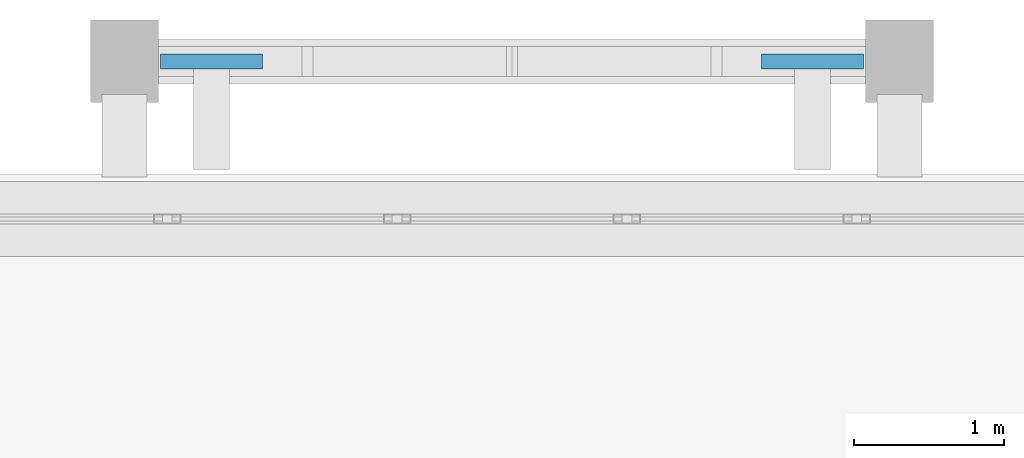
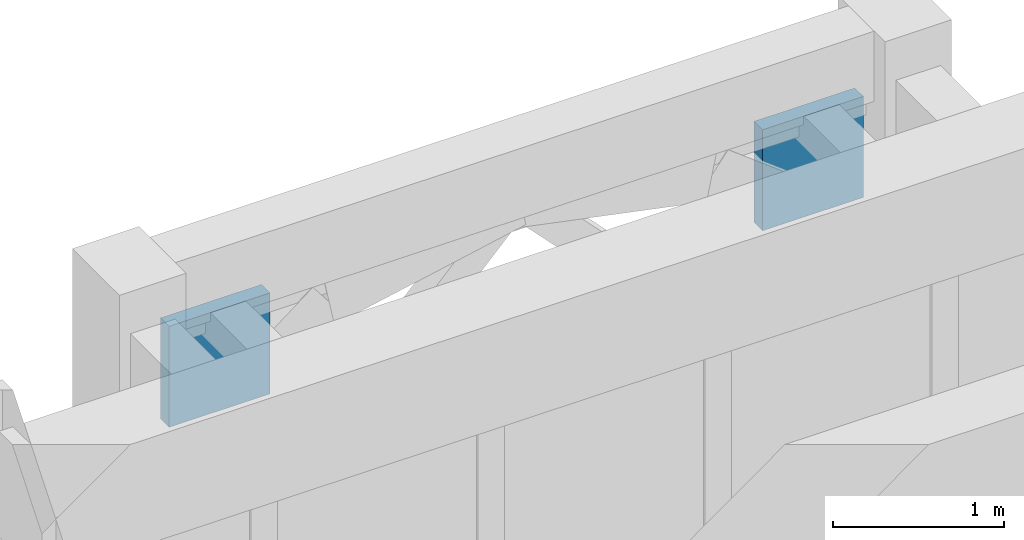
# One storey, part 102 of 114: 2 plates.
"""IFC4 building model written with IfcOpenShell, lengths in metres."""

from ifc_helpers import new_model, si_unit, direction, frame, origin, origin_2d, place, context, subcontext, project, spatial, rectangle, extrude, material, layer, layer_set, type_object, element, save


model = new_model("IFC4")

# Units and contexts
model_context = context("Model", 3, precision=1e-05, world=origin(), true_north=direction((0.0, 1.0)))
body_context = subcontext(model_context, "Body", "Model", "MODEL_VIEW")
ifc_project = project(units=[si_unit("LENGTHUNIT", "METRE"), si_unit("AREAUNIT", "SQUARE_METRE"), si_unit("VOLUMEUNIT", "CUBIC_METRE"), si_unit("PLANEANGLEUNIT", "RADIAN"), si_unit("MASSUNIT", "GRAM", prefix="KILO")], contexts=[model_context])

# Site, building, storey
site_placement = place(None, origin())
site = spatial("IfcSite", under=ifc_project, at=site_placement, CompositionType="ELEMENT")
building_placement = place(site_placement, origin())
building = spatial("IfcBuilding", under=site, at=building_placement, Name="Xazarin Passage Department Store", CompositionType="ELEMENT")
storey_placement = place(building_placement, frame((0.0, 0.0, 14.39990234375)))
storey = spatial("IfcBuildingStorey", under=building, at=storey_placement, Name="L03", CompositionType="ELEMENT", Elevation=14.39990234375)

# Plates
ifc_material = material(Name="Precast concrete C40/50", Category="concrete")
ifc_layer = layer(ifc_material, 0.10009765625)
ifc_layer_set = layer_set([ifc_layer], Name="Precast concrete C40/50")
plate_type = type_object("IfcPlateType", Name="ARC-PLT-SCR-03", PredefinedType="USERDEFINED", material=ifc_layer_set)
for number, where, z_axis, x_axis, name in (
    (1, (113.0, 111.050048828125, 3.26025390625), (0.0, 0.0, 1.0), (1.0, 0.0, 0.0), "L03 V4 Arch Spandrel Tympanum 0303"),
    (2, (117.0, 111.050048828125, 3.26025390625), (0.0, 0.0, 1.0), (1.0, 0.0, 0.0), "L03 V4 Arch Spandrel Tympanum 0304"),
):
    element("IfcPlate", number, at=place(storey_placement, frame(where, z_axis=z_axis, x_axis=x_axis)), inside=storey, type_object=plate_type, Name=name, ObjectType="SCREEN PANEL", PredefinedType="USERDEFINED", context=body_context, shape_type="SweptSolid", body=[
        extrude(rectangle(XDim=0.679931640625, YDim=0.10009765625, at=origin_2d()), origin(), (0.0, 0.0, 1.0), 0.719970703125),
    ])

save(model, "model.ifc")
